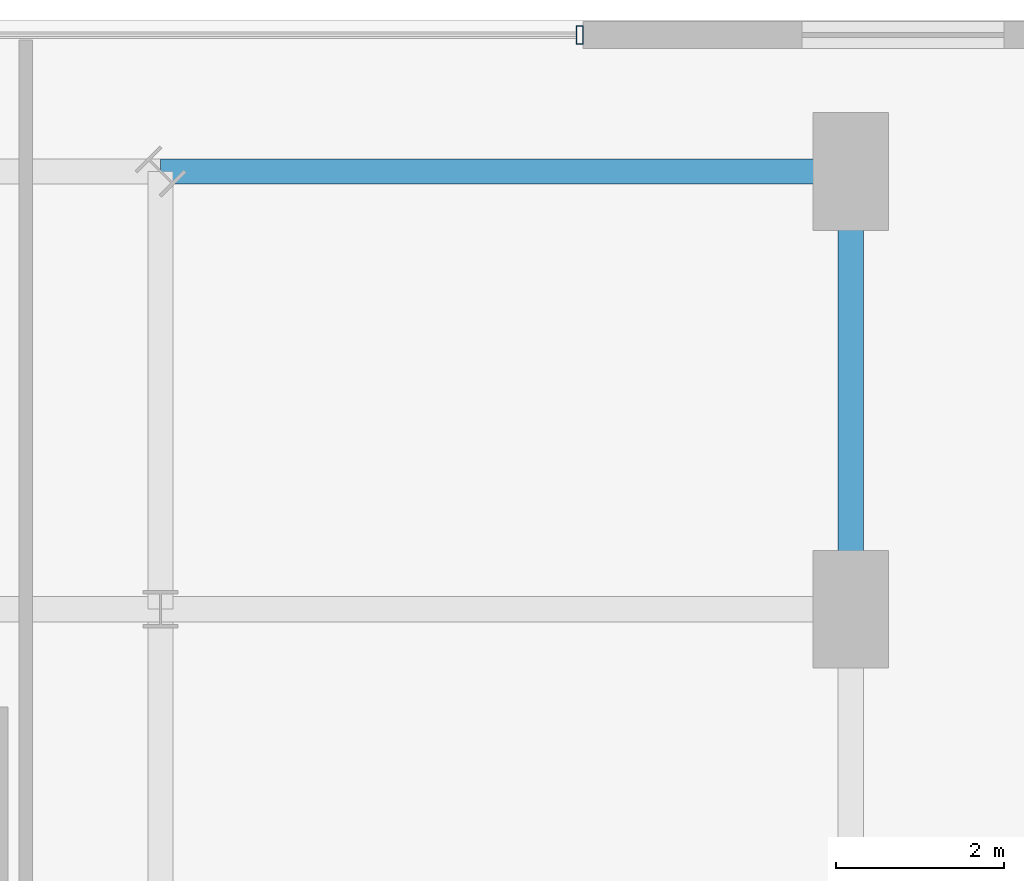
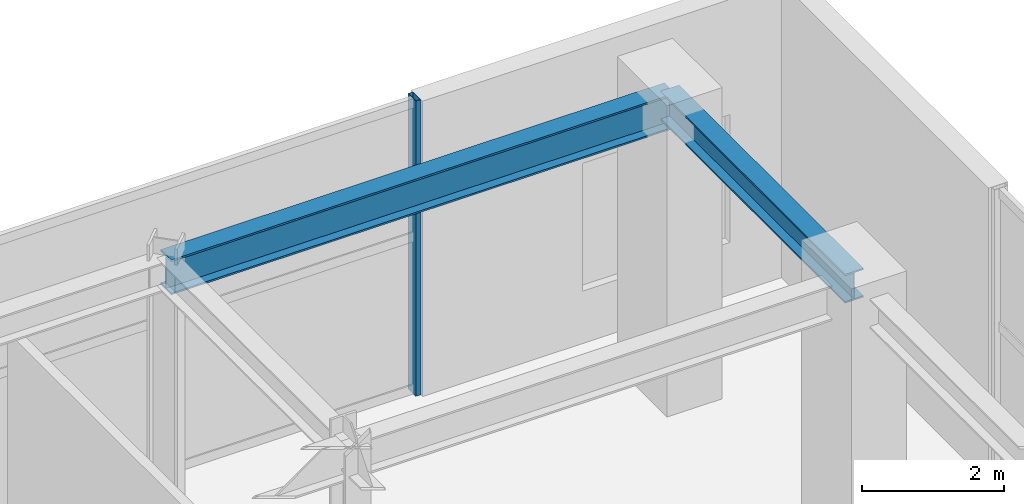
# One storey, part 25 of 34: 2 beams, 1 member, 1 element without a shape of its own.
"""IFC4 building model written with IfcOpenShell, lengths in metres."""

from ifc_helpers import new_model, si_unit, direction, frame, origin, origin_2d, place, context, subcontext, project, spatial, hollow_rectangle, i_section, extrude, source, transform, mapped, material, material_profile, profile_set, type_object, element, aggregate, save


model = new_model("IFC4")

# Units and contexts
model_context = context("Model", 3, precision=1e-05, world=origin(), true_north=direction((0.0, 1.0)))
body_context = subcontext(model_context, "Body", "Model", "MODEL_VIEW")
ifc_project = project(units=[si_unit("LENGTHUNIT", "METRE"), si_unit("AREAUNIT", "SQUARE_METRE"), si_unit("VOLUMEUNIT", "CUBIC_METRE"), si_unit("PLANEANGLEUNIT", "RADIAN"), si_unit("MASSUNIT", "GRAM", prefix="KILO")], contexts=[model_context])

# Site, building, storey
site_placement = place(None, origin())
site = spatial("IfcSite", under=ifc_project, at=site_placement, CompositionType="ELEMENT")
building_placement = place(site_placement, origin())
building = spatial("IfcBuilding", under=site, at=building_placement, Name="Nahalor Promenade Grand Hotel", CompositionType="ELEMENT")
storey_placement = place(building_placement, frame((0.0, 0.0, 16.199951171875)))
storey = spatial("IfcBuildingStorey", under=building, at=storey_placement, Name="L03", CompositionType="ELEMENT", Elevation=16.199951171875)

# Beams
ifc_material_1 = material(Name="Steel S355JR", Category="steel")
ifc_material_profile_1 = material_profile(ifc_material_1, i_section(OverallWidth=0.3, OverallDepth=0.6, WebThickness=0.0155, FlangeThickness=0.03, at=origin_2d()), Name="HEB 600")
ifc_profile_set_1 = profile_set([ifc_material_profile_1], Name="Steel S355JR")
beam_type_1 = type_object("IfcBeamType", Name="Beam-Girder-HEB600", PredefinedType="BEAM", material=ifc_profile_set_1)
shared_shape_1 = source(origin(), body_context, "Body", "SweptSolid", [
    extrude(i_section(OverallWidth=0.3, OverallDepth=0.6, WebThickness=0.0155, FlangeThickness=0.03, at=origin_2d()), origin(), (0.0, 0.0, 1.0), 8.199951171875),
])
beam_1_placement = place(storey_placement, frame((24.800048828125, 22.199951171875, 4.780029296875), z_axis=(1.0, 0.0, 0.0), x_axis=(0.0, 1.0, 0.0)))
element("IfcBeam", 1, at=beam_1_placement, inside=storey, type_object=beam_type_1, Name="BM-L03-TIE-PE-+22", PredefinedType="BEAM", context=body_context, shape_type="MappedRepresentation", body=[
    mapped(shared_shape_1, transform((0.0, 0.0, 0.0), scale=1.0)),
])
ifc_material_profile_2 = material_profile(ifc_material_1, i_section(OverallWidth=0.3, OverallDepth=0.5, WebThickness=0.0145, FlangeThickness=0.028, at=origin_2d()), Name="HEB 500")
ifc_profile_set_2 = profile_set([ifc_material_profile_2], Name="Steel S355JR")
beam_type_2 = type_object("IfcBeamType", Name="Beam-Spandrel-HEB500", PredefinedType="SPANDREL", material=ifc_profile_set_2)
shared_shape_2 = source(origin(), body_context, "Body", "SweptSolid", [
    extrude(i_section(OverallWidth=0.3, OverallDepth=0.5, WebThickness=0.0145, FlangeThickness=0.028, at=origin_2d()), origin(), (0.0, 0.0, 1.0), 5.199951171875),
])
beam_2_placement = place(storey_placement, frame((33.0, 17.0, 4.830078125), z_axis=(0.0, 1.0, 0.0), x_axis=(-1.0, 0.0, 0.0)))
element("IfcBeam", 2, at=beam_2_placement, inside=storey, type_object=beam_type_2, Name="BM-L03-PE-3", PredefinedType="SPANDREL", context=body_context, shape_type="MappedRepresentation", body=[
    mapped(shared_shape_2, transform((0.0, 0.0, 0.0), scale=1.0)),
])

# Curtain wall, member
ifc_material_2 = material(Name="Anodised Bronze Aluminium EN AW-6063 T6", Category="aluminium")
curtain_wall_type = type_object("IfcCurtainWallType", Name="CW1 Waterfront Podium Bronze Arcade Curtain Wall", PredefinedType="USERDEFINED", material=ifc_material_2)
curtain_wall_placement = place(storey_placement, origin())
curtain_wall = element("IfcCurtainWall", 3, at=curtain_wall_placement, inside=storey, type_object=curtain_wall_type, Name="L03 Curtain Wall CW-L03-N", ObjectType="UNITISED_CURTAIN_WALL", PredefinedType="USERDEFINED")
ifc_material_profile_3 = material_profile(ifc_material_2, hollow_rectangle(XDim=0.08, YDim=0.22, WallThickness=0.005, at=origin_2d()), Name="CWM 80x220x5")
ifc_profile_set_3 = profile_set([ifc_material_profile_3], Name="Anodised Bronze Aluminium EN AW-6063 T6")
member_type = type_object("IfcMemberType", Name="CWM1 Podium Bronze Mullion 80x220", PredefinedType="MULLION", material=ifc_profile_set_3)
shared_shape_3 = source(origin(), body_context, "Body", "SweptSolid", [
    extrude(hollow_rectangle(XDim=0.08, YDim=0.22, WallThickness=0.005, at=origin_2d()), origin(), (0.0, 0.0, 1.0), 5.080078125),
])
member_placement = place(storey_placement, frame((29.780029296875, 23.820068359375, 0.0), z_axis=(0.0, 0.0, 1.0), x_axis=(1.0, 0.0, 0.0)))
member = element("IfcMember", 4, at=member_placement, type_object=member_type, Name="CW-L03-N Mullion 6", PredefinedType="MULLION", context=body_context, shape_type="MappedRepresentation", body=[
    mapped(shared_shape_3, transform((0.0, 0.0, 0.0), scale=1.0)),
])
aggregate(curtain_wall, [member])

save(model, "model.ifc")
